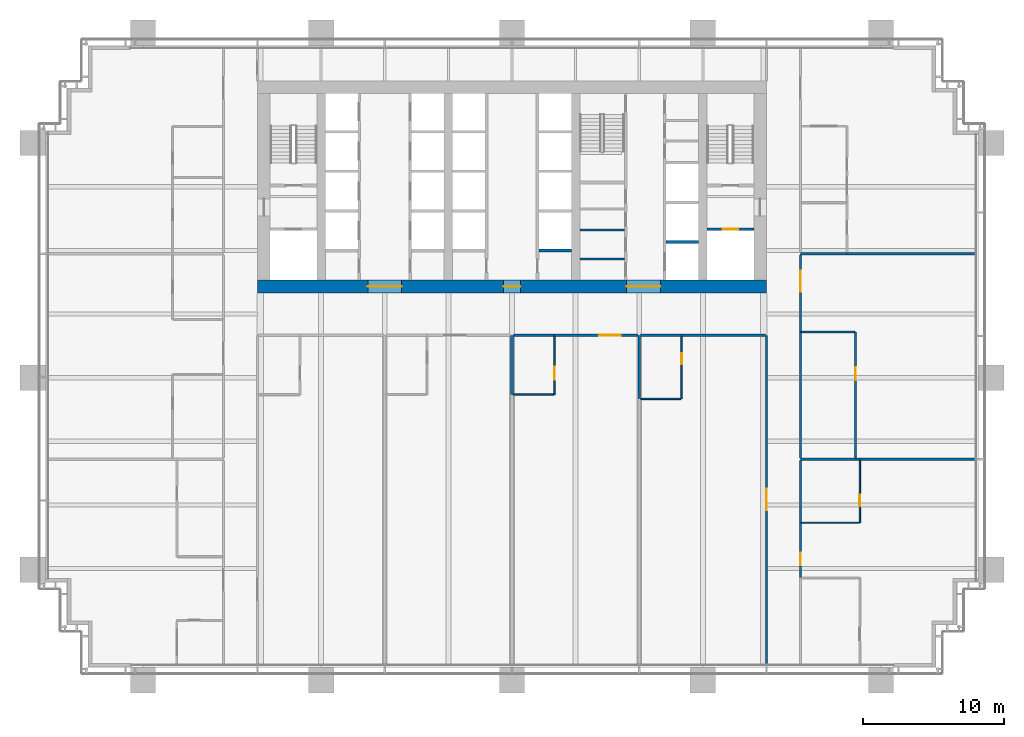
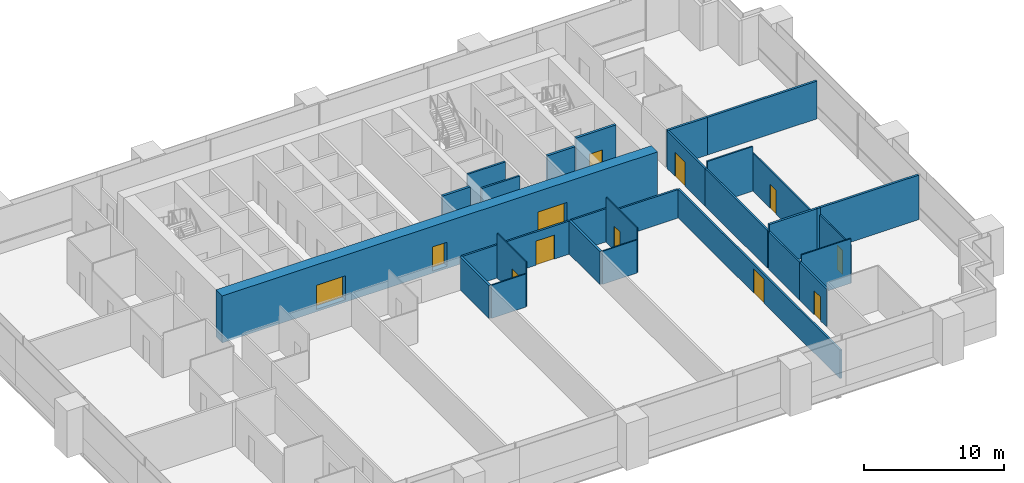
# One storey, part 12 of 19: 30 walls, 12 doors, 12 openings.
"""IFC4 building model written with IfcOpenShell, lengths in metres."""

from ifc_helpers import new_model, si_unit, direction, frame, frame_2d, origin, place, context, subcontext, project, spatial, rectangle, extrude, material, layer, layer_set, type_object, element, fill, save


model = new_model("IFC4")

# Units and contexts
model_context = context("Model", 3, precision=1e-05, world=origin(), true_north=direction((0.0, 1.0)))
body_context = subcontext(model_context, "Body", "Model", "MODEL_VIEW")
ifc_project = project(units=[si_unit("LENGTHUNIT", "METRE"), si_unit("AREAUNIT", "SQUARE_METRE"), si_unit("VOLUMEUNIT", "CUBIC_METRE"), si_unit("PLANEANGLEUNIT", "RADIAN"), si_unit("MASSUNIT", "GRAM", prefix="KILO")], contexts=[model_context])

# Site, building, storey
site_placement = place(None, origin())
site = spatial("IfcSite", under=ifc_project, at=site_placement, CompositionType="ELEMENT")
building_placement = place(site_placement, origin())
building = spatial("IfcBuilding", under=site, at=building_placement, Name="Rattan Terrace Tower", CompositionType="ELEMENT")
storey_placement = place(building_placement, frame((0.0, 0.0, 65.199951171875)))
storey = spatial("IfcBuildingStorey", under=building, at=storey_placement, Name="L14", CompositionType="ELEMENT", Elevation=65.199951171875)

# Walls
ifc_material_1 = material(Name="Gypsum board partition")
ifc_layer_1 = layer(ifc_material_1, 0.14990234375)
ifc_layer_set_1 = layer_set([ifc_layer_1], Name="Core partition 150")
wall_type_1 = type_object("IfcWallType", Name="Core partition 150", PredefinedType="PARTITIONING", material=ifc_layer_set_1)
for number, where, z_axis, x_axis, name in (
    (1, (4.800048828125, -5.10400390625, 0.0), (0.0, 0.0, 1.0), (1.0, 0.0, 0.0), "Toilet wall"),
    (2, (4.800048828125, -3.06396484375, 0.0), (0.0, 0.0, 1.0), (1.0, 0.0, 0.0), "Toilet wall"),
):
    element("IfcWall", number, at=place(storey_placement, frame(where, z_axis=z_axis, x_axis=x_axis)), inside=storey, type_object=wall_type_1, Name=name, PredefinedType="PARTITIONING", context=body_context, shape_type="SweptSolid", body=[
        extrude(rectangle(XDim=3.14990234375, YDim=0.14990234375, at=frame_2d((1.574951171875, 0.0))), origin(), (0.0, 0.0, 1.0), 3.900146484375),
    ])

# Wall, opening, door
ifc_material_2 = material(Name="Gypsum board partition")
ifc_layer_2 = layer(ifc_material_2, 0.199951171875)
ifc_layer_set_2 = layer_set([ifc_layer_2], Name="Core partition 200")
wall_type_2 = type_object("IfcWallType", Name="Core partition 200", PredefinedType="PARTITIONING", material=ifc_layer_set_2)
wall_1_placement = place(storey_placement, frame((13.800048828125, -3.0, 0.0), z_axis=(0.0, 0.0, 1.0), x_axis=(1.0, 0.0, 0.0)))
wall_1 = element("IfcWall", 3, at=wall_1_placement, inside=storey, type_object=wall_type_2, Name="Fire-fighting lobby wall", PredefinedType="PARTITIONING", context=body_context, shape_type="SweptSolid", body=[
    extrude(rectangle(XDim=3.300048828125, YDim=0.199951171875, at=frame_2d((1.64990234375, 0.0))), origin(), (0.0, 0.0, 1.0), 3.900146484375),
])
opening_1_placement = place(wall_1_placement, frame((1.10009765625, 0.0, 0.0)))
opening_1 = element("IfcOpeningElement", 4, at=opening_1_placement, cuts=wall_1, Name="Opening L14-LD-FF2", PredefinedType="OPENING", context=body_context, shape_type="SweptSolid", body=[
    extrude(rectangle(XDim=1.10009765625, YDim=2.10009765625, at=frame_2d((0.550048828125, 1.050048828125))), frame((0.0, 0.110595703125, 0.0), z_axis=(0.0, -1.0, 0.0), x_axis=(1.0, 0.0, 0.0)), (0.0, 0.0, 1.0), 0.220947265625),
])
ifc_material_3 = material(Name="Brushed stainless landing door panel")
door_type_1 = type_object("IfcDoorType", Name="Core lift landing door 1100", OperationType="DOUBLE_DOOR_SLIDING", PredefinedType="DOOR", material=ifc_material_3)
door_1_placement = place(opening_1_placement, origin())
door_1 = element("IfcDoor", 5, at=door_1_placement, inside=storey, type_object=door_type_1, Name="Door L14-LD-FF2", OperationType="DOUBLE_DOOR_SLIDING", OverallHeight=2.10009765625, OverallWidth=1.10009765625, PredefinedType="DOOR", context=body_context, shape_type="SweptSolid", body=[
    extrude(rectangle(XDim=1.10009765625, YDim=2.10009765625, at=frame_2d((0.550048828125, 1.050048828125))), frame((0.0, 0.02490234375, 0.0), z_axis=(0.0, -1.0, 0.0), x_axis=(1.0, 0.0, 0.0)), (0.0, 0.0, 1.0), 0.050048828125),
])
fill(opening_1, door_1)

# Wall, openings, doors
ifc_material_4 = material(Name="Concrete C70/85", Category="concrete")
ifc_layer_3 = layer(ifc_material_4, 0.89990234375)
ifc_layer_set_3 = layer_set([ifc_layer_3], Name="Core ring wall 900 C70/85")
wall_type_3 = type_object("IfcWallType", Name="Core ring wall 900 C70/85", PredefinedType="SHEAR", material=ifc_layer_set_3)
wall_2_placement = place(storey_placement, frame((-18.0, -7.050048828125, -0.199951171875), z_axis=(0.0, 0.0, 1.0), x_axis=(1.0, 0.0, 0.0)))
wall_2 = element("IfcWall", 6, at=wall_2_placement, inside=storey, type_object=wall_type_3, Name="Rear core wall south", PredefinedType="SHEAR", context=body_context, shape_type="SweptSolid", body=[
    extrude(rectangle(XDim=36.0, YDim=0.89990234375, at=frame_2d((18.0, 0.0))), origin(), (0.0, 0.0, 1.0), 4.10009765625),
])
opening_2_placement = place(wall_2_placement, frame((7.800048828125, 0.0, 0.199951171875)))
opening_2 = element("IfcOpeningElement", 7, at=opening_2_placement, cuts=wall_2, Name="Opening L14-D007", PredefinedType="OPENING", context=body_context, shape_type="SweptSolid", body=[
    extrude(rectangle(XDim=2.39990234375, YDim=2.10009765625, at=frame_2d((1.199951171875, 1.050048828125))), frame((0.0, 0.46044921875, 0.0), z_axis=(0.0, -1.0, 0.0), x_axis=(1.0, 0.0, 0.0)), (0.0, 0.0, 1.0), 0.9208984375),
])
opening_3_placement = place(wall_2_placement, frame((17.39990234375, 0.0, 0.199951171875)))
opening_3 = element("IfcOpeningElement", 8, at=opening_3_placement, cuts=wall_2, Name="Opening L14-D010", PredefinedType="OPENING", context=body_context, shape_type="SweptSolid", body=[
    extrude(rectangle(XDim=1.199951171875, YDim=2.10009765625, at=frame_2d((0.60009765625, 1.050048828125))), frame((0.0, 0.46044921875, 0.0), z_axis=(0.0, -1.0, 0.0), x_axis=(1.0, 0.0, 0.0)), (0.0, 0.0, 1.0), 0.9208984375),
])
opening_4_placement = place(wall_2_placement, frame((26.10009765625, 0.0, 0.199951171875)))
opening_4 = element("IfcOpeningElement", 9, at=opening_4_placement, cuts=wall_2, Name="Opening L14-D016", PredefinedType="OPENING", context=body_context, shape_type="SweptSolid", body=[
    extrude(rectangle(XDim=2.39990234375, YDim=2.10009765625, at=frame_2d((1.199951171875, 1.050048828125))), frame((0.0, 0.46044921875, 0.0), z_axis=(0.0, -1.0, 0.0), x_axis=(1.0, 0.0, 0.0)), (0.0, 0.0, 1.0), 0.9208984375),
])
ifc_material_5 = material(Name="Hollow-metal fire door leaf")
door_type_2 = type_object("IfcDoorType", Name="Core lift lobby door 2400", OperationType="NOTDEFINED", PredefinedType="DOOR", material=ifc_material_5)
door_2_placement = place(opening_2_placement, origin())
door_2 = element("IfcDoor", 10, at=door_2_placement, inside=storey, type_object=door_type_2, Name="Door L14-D007", OperationType="DOUBLE_DOOR_DOUBLE_SWING", OverallHeight=2.10009765625, OverallWidth=2.39990234375, PredefinedType="DOOR", context=body_context, shape_type="SweptSolid", body=[
    extrude(rectangle(XDim=2.39990234375, YDim=2.10009765625, at=frame_2d((1.199951171875, 1.050048828125))), frame((0.0, 0.02490234375, 0.0), z_axis=(0.0, -1.0, 0.0), x_axis=(1.0, 0.0, 0.0)), (0.0, 0.0, 1.0), 0.050048828125),
])
fill(opening_2, door_2)
door_3_placement = place(opening_4_placement, origin())
door_3 = element("IfcDoor", 11, at=door_3_placement, inside=storey, type_object=door_type_2, Name="Door L14-D016", OperationType="DOUBLE_DOOR_DOUBLE_SWING", OverallHeight=2.10009765625, OverallWidth=2.39990234375, PredefinedType="DOOR", context=body_context, shape_type="SweptSolid", body=[
    extrude(rectangle(XDim=2.39990234375, YDim=2.10009765625, at=frame_2d((1.199951171875, 1.050048828125))), frame((0.0, 0.02490234375, 0.0), z_axis=(0.0, -1.0, 0.0), x_axis=(1.0, 0.0, 0.0)), (0.0, 0.0, 1.0), 0.050048828125),
])
fill(opening_4, door_3)
ifc_material_6 = material(Name="Hollow-metal fire door leaf")
door_type_3 = type_object("IfcDoorType", Name="Core riser door 1200", OperationType="NOTDEFINED", PredefinedType="DOOR", material=ifc_material_6)
door_4_placement = place(opening_3_placement, origin())
door_4 = element("IfcDoor", 12, at=door_4_placement, inside=storey, type_object=door_type_3, Name="Door L14-D010", OperationType="SINGLE_SWING_LEFT", OverallHeight=2.10009765625, OverallWidth=1.199951171875, PredefinedType="DOOR", context=body_context, shape_type="SweptSolid", body=[
    extrude(rectangle(XDim=1.199951171875, YDim=2.10009765625, at=frame_2d((0.60009765625, 1.050048828125))), frame((0.0, 0.02490234375, 0.0), z_axis=(0.0, -1.0, 0.0), x_axis=(1.0, 0.0, 0.0)), (0.0, 0.0, 1.0), 0.050048828125),
])
fill(opening_3, door_4)

# Walls
ifc_material_7 = material(Name="Double steel stud acoustic partition, gypsum board, mineral wool, fire rated", Category="steel")
ifc_layer_4 = layer(ifc_material_7, 0.179931640625)
ifc_layer_set_4 = layer_set([ifc_layer_4], Name="Floors Acoustic Party Wall 180")
wall_type_4 = type_object("IfcWallType", Name="Floors Acoustic Party Wall 180", PredefinedType="PARTITIONING", material=ifc_layer_set_4)
wall_3_placement = place(storey_placement, frame((24.60009765625, -19.27294921875, 0.0), z_axis=(0.0, 0.0, 1.0), x_axis=(1.0, 0.0, 0.0)))
element("IfcWall", 13, at=wall_3_placement, inside=storey, type_object=wall_type_4, Name="pt-L14-052", PredefinedType="PARTITIONING", context=body_context, shape_type="SweptSolid", body=[
    extrude(rectangle(XDim=8.139892578125, YDim=0.179931640625, at=frame_2d((4.06982421875, 0.0))), origin(), (0.0, 0.0, 1.0), 3.900146484375),
])
wall_4_placement = place(storey_placement, frame((24.320068359375, -19.27294921875, 0.0), z_axis=(0.0, 0.0, 1.0), x_axis=(1.0, 0.0, 0.0)))
element("IfcWall", 14, at=wall_4_placement, inside=storey, type_object=wall_type_4, Name="pt-L14-053", PredefinedType="PARTITIONING", context=body_context, shape_type="SweptSolid", body=[
    extrude(rectangle(XDim=0.280029296875, YDim=0.179931640625, at=frame_2d((0.14013671875, 0.0))), origin(), (0.0, 0.0, 1.0), 3.900146484375),
])
wall_5_placement = place(storey_placement, frame((20.39990234375, -19.27294921875, 0.0), z_axis=(0.0, 0.0, 1.0), x_axis=(1.0, 0.0, 0.0)))
element("IfcWall", 15, at=wall_5_placement, inside=storey, type_object=wall_type_4, Name="pt-L14-054", PredefinedType="PARTITIONING", context=body_context, shape_type="SweptSolid", body=[
    extrude(rectangle(XDim=3.920166015625, YDim=0.179931640625, at=frame_2d((1.9599609375, 0.0))), origin(), (0.0, 0.0, 1.0), 3.900146484375),
])
wall_6_placement = place(storey_placement, frame((23.679931640625, -4.72705078125, 0.0), z_axis=(0.0, 0.0, 1.0), x_axis=(1.0, 0.0, 0.0)))
element("IfcWall", 16, at=wall_6_placement, inside=storey, type_object=wall_type_4, Name="pt-L14-057", PredefinedType="PARTITIONING", context=body_context, shape_type="SweptSolid", body=[
    extrude(rectangle(XDim=9.06005859375, YDim=0.179931640625, at=frame_2d((4.530029296875, 0.0))), origin(), (0.0, 0.0, 1.0), 3.300048828125),
])
wall_7_placement = place(storey_placement, frame((20.39990234375, -4.72705078125, 0.0), z_axis=(0.0, 0.0, 1.0), x_axis=(1.0, 0.0, 0.0)))
element("IfcWall", 17, at=wall_7_placement, inside=storey, type_object=wall_type_4, Name="pt-L14-058", PredefinedType="PARTITIONING", context=body_context, shape_type="SweptSolid", body=[
    extrude(rectangle(XDim=3.280029296875, YDim=0.179931640625, at=frame_2d((1.64013671875, 0.0))), origin(), (0.0, 0.0, 1.0), 3.300048828125),
])
wall_8_placement = place(storey_placement, frame((0.0, -10.5, 0.0), z_axis=(0.0, 0.0, 1.0), x_axis=(0.0, -1.0, 0.0)))
element("IfcWall", 18, at=wall_8_placement, inside=storey, type_object=wall_type_4, Name="pt-L14-070", PredefinedType="PARTITIONING", context=body_context, shape_type="SweptSolid", body=[
    extrude(rectangle(XDim=4.179931640625, YDim=0.179931640625, at=frame_2d((2.08984375, 0.0))), origin(), (0.0, 0.0, 1.0), 2.900146484375),
])
wall_9_placement = place(storey_placement, frame((9.0, -10.5, 0.0), z_axis=(0.0, 0.0, 1.0), x_axis=(0.0, -1.0, 0.0)))
element("IfcWall", 19, at=wall_9_placement, inside=storey, type_object=wall_type_4, Name="pt-L14-074", PredefinedType="PARTITIONING", context=body_context, shape_type="SweptSolid", body=[
    extrude(rectangle(XDim=4.47998046875, YDim=0.179931640625, at=frame_2d((2.239990234375, 0.0))), origin(), (0.0, 0.0, 1.0), 2.900146484375),
])
ifc_material_8 = material(Name="Gypsum board partition on steel studs", Category="steel")
ifc_layer_5 = layer(ifc_material_8, 0.10009765625)
ifc_layer_set_5 = layer_set([ifc_layer_5], Name="Floors Partition 100")
wall_type_5 = type_object("IfcWallType", Name="Floors Partition 100", PredefinedType="PARTITIONING", material=ifc_layer_set_5)
wall_10_placement = place(storey_placement, frame((20.47509765625, -23.760009765625, 0.0), z_axis=(0.0, 0.0, 1.0), x_axis=(1.0, 0.0, 0.0)))
element("IfcWall", 20, at=wall_10_placement, inside=storey, type_object=wall_type_5, Name="pt-L14-050", PredefinedType="PARTITIONING", context=body_context, shape_type="SweptSolid", body=[
    extrude(rectangle(XDim=4.074951171875, YDim=0.10009765625, at=frame_2d((2.03759765625, 0.0))), origin(), (0.0, 0.0, 1.0), 3.900146484375),
])

# Wall, opening, door
wall_11_placement = place(storey_placement, frame((24.60009765625, -23.760009765625, 0.0), z_axis=(0.0, 0.0, 1.0), x_axis=(0.0, 1.0, 0.0)))
wall_11 = element("IfcWall", 21, at=wall_11_placement, inside=storey, type_object=wall_type_5, Name="pt-L14-051", PredefinedType="PARTITIONING", context=body_context, shape_type="SweptSolid", body=[
    extrude(rectangle(XDim=4.39697265625, YDim=0.10009765625, at=frame_2d((2.198486328125, 0.0))), origin(), (0.0, 0.0, 1.0), 3.300048828125),
])
opening_5_placement = place(wall_11_placement, frame((1.178955078125, 0.0, 0.0)))
opening_5 = element("IfcOpeningElement", 22, at=opening_5_placement, cuts=wall_11, Name="Opening L14-D111", PredefinedType="OPENING", context=body_context, shape_type="SweptSolid", body=[
    extrude(rectangle(XDim=0.800048828125, YDim=2.10009765625, at=frame_2d((0.39990234375, 1.050048828125))), frame((0.0, 0.060546875, 0.0), z_axis=(0.0, -1.0, 0.0), x_axis=(1.0, 0.0, 0.0)), (0.0, 0.0, 1.0), 0.12109375),
])
ifc_material_9 = material(Name="Solid core timber door, painted", Category="wood")
door_type_4 = type_object("IfcDoorType", Name="Floors Store Door 800x2100", OperationType="NOTDEFINED", PredefinedType="DOOR", material=ifc_material_9)
door_5_placement = place(opening_5_placement, origin())
door_5 = element("IfcDoor", 23, at=door_5_placement, inside=storey, type_object=door_type_4, Name="d-L14-111", OperationType="SINGLE_SWING_LEFT", OverallHeight=2.10009765625, OverallWidth=0.800048828125, PredefinedType="DOOR", context=body_context, shape_type="SweptSolid", body=[
    extrude(rectangle(XDim=0.800048828125, YDim=2.10009765625, at=frame_2d((0.39990234375, 1.050048828125))), frame((0.0, 0.02490234375, 0.0), z_axis=(0.0, -1.0, 0.0), x_axis=(1.0, 0.0, 0.0)), (0.0, 0.0, 1.0), 0.050048828125),
])
fill(opening_5, door_5)

# Wall
wall_12_placement = place(storey_placement, frame((0.090087890625, -14.699951171875, 0.0), z_axis=(0.0, 0.0, 1.0), x_axis=(1.0, 0.0, 0.0)))
element("IfcWall", 24, at=wall_12_placement, inside=storey, type_object=wall_type_5, Name="pt-L14-071", PredefinedType="PARTITIONING", context=body_context, shape_type="SweptSolid", body=[
    extrude(rectangle(XDim=2.85986328125, YDim=0.10009765625, at=frame_2d((1.429931640625, 0.0))), origin(), (0.0, 0.0, 1.0), 2.900146484375),
])

# Wall, opening, door
wall_13_placement = place(storey_placement, frame((3.0, -14.699951171875, 0.0), z_axis=(0.0, 0.0, 1.0), x_axis=(0.0, 1.0, 0.0)))
wall_13 = element("IfcWall", 25, at=wall_13_placement, inside=storey, type_object=wall_type_5, Name="pt-L14-072", PredefinedType="PARTITIONING", context=body_context, shape_type="SweptSolid", body=[
    extrude(rectangle(XDim=4.125, YDim=0.10009765625, at=frame_2d((2.0625, 0.0))), origin(), (0.0, 0.0, 1.0), 3.900146484375),
])
opening_6_placement = place(wall_13_placement, frame((1.06689453125, 0.0, 0.0)))
opening_6 = element("IfcOpeningElement", 26, at=opening_6_placement, cuts=wall_13, Name="Opening L14-D123", PredefinedType="OPENING", context=body_context, shape_type="SweptSolid", body=[
    extrude(rectangle(XDim=0.89990234375, YDim=2.10009765625, at=frame_2d((0.449951171875, 1.050048828125))), frame((0.0, 0.060546875, 0.0), z_axis=(0.0, -1.0, 0.0), x_axis=(1.0, 0.0, 0.0)), (0.0, 0.0, 1.0), 0.12109375),
])
ifc_material_10 = material(Name="Solid core timber door, painted", Category="wood")
door_type_5 = type_object("IfcDoorType", Name="Floors Door 900x2100", OperationType="NOTDEFINED", PredefinedType="DOOR", material=ifc_material_10)
door_6_placement = place(opening_6_placement, origin())
door_6 = element("IfcDoor", 27, at=door_6_placement, inside=storey, type_object=door_type_5, Name="d-L14-123", OperationType="SINGLE_SWING_LEFT", OverallHeight=2.10009765625, OverallWidth=0.89990234375, PredefinedType="DOOR", context=body_context, shape_type="SweptSolid", body=[
    extrude(rectangle(XDim=0.89990234375, YDim=2.10009765625, at=frame_2d((0.449951171875, 1.050048828125))), frame((0.0, 0.02490234375, 0.0), z_axis=(0.0, -1.0, 0.0), x_axis=(1.0, 0.0, 0.0)), (0.0, 0.0, 1.0), 0.050048828125),
])
fill(opening_6, door_6)

# Wall
wall_14_placement = place(storey_placement, frame((9.090087890625, -15.0, 0.0), z_axis=(0.0, 0.0, 1.0), x_axis=(1.0, 0.0, 0.0)))
element("IfcWall", 28, at=wall_14_placement, inside=storey, type_object=wall_type_5, Name="pt-L14-075", PredefinedType="PARTITIONING", context=body_context, shape_type="SweptSolid", body=[
    extrude(rectangle(XDim=2.85986328125, YDim=0.10009765625, at=frame_2d((1.429931640625, 0.0))), origin(), (0.0, 0.0, 1.0), 2.900146484375),
])

# Wall, opening, door
wall_15_placement = place(storey_placement, frame((12.0, -15.0, 0.0), z_axis=(0.0, 0.0, 1.0), x_axis=(0.0, 1.0, 0.0)))
wall_15 = element("IfcWall", 29, at=wall_15_placement, inside=storey, type_object=wall_type_5, Name="pt-L14-076", PredefinedType="PARTITIONING", context=body_context, shape_type="SweptSolid", body=[
    extrude(rectangle(XDim=4.425048828125, YDim=0.10009765625, at=frame_2d((2.21240234375, 0.0))), origin(), (0.0, 0.0, 1.0), 3.900146484375),
])
opening_7_placement = place(wall_15_placement, frame((2.43798828125, 0.0, 0.0)))
opening_7 = element("IfcOpeningElement", 30, at=opening_7_placement, cuts=wall_15, Name="Opening L14-D125", PredefinedType="OPENING", context=body_context, shape_type="SweptSolid", body=[
    extrude(rectangle(XDim=0.800048828125, YDim=2.10009765625, at=frame_2d((0.39990234375, 1.050048828125))), frame((0.0, 0.060546875, 0.0), z_axis=(0.0, -1.0, 0.0), x_axis=(1.0, 0.0, 0.0)), (0.0, 0.0, 1.0), 0.12109375),
])
door_7_placement = place(opening_7_placement, origin())
door_7 = element("IfcDoor", 31, at=door_7_placement, inside=storey, type_object=door_type_4, Name="d-L14-125", OperationType="SINGLE_SWING_RIGHT", OverallHeight=2.10009765625, OverallWidth=0.800048828125, PredefinedType="DOOR", context=body_context, shape_type="SweptSolid", body=[
    extrude(rectangle(XDim=0.800048828125, YDim=2.10009765625, at=frame_2d((0.39990234375, 1.050048828125))), frame((0.0, 0.02490234375, 0.0), z_axis=(0.0, -1.0, 0.0), x_axis=(1.0, 0.0, 0.0)), (0.0, 0.0, 1.0), 0.050048828125),
])
fill(opening_7, door_7)

ifc_material_11 = material(Name="Gypsum board partition on steel studs, fire rated", Category="steel")
ifc_layer_6 = layer(ifc_material_11, 0.14990234375)
ifc_layer_set_6 = layer_set([ifc_layer_6], Name="Floors Tenancy Wall 150")
wall_type_6 = type_object("IfcWallType", Name="Floors Tenancy Wall 150", PredefinedType="PARTITIONING", material=ifc_layer_set_6)
wall_16_placement = place(storey_placement, frame((20.39990234375, -23.780029296875, 0.0), z_axis=(0.0, 0.0, 1.0), x_axis=(0.0, -1.0, 0.0)))
wall_16 = element("IfcWall", 32, at=wall_16_placement, inside=storey, type_object=wall_type_6, Name="pt-L14-010", PredefinedType="PARTITIONING", context=body_context, shape_type="SweptSolid", body=[
    extrude(rectangle(XDim=3.85986328125, YDim=0.14990234375, at=frame_2d((1.929931640625, 0.0))), origin(), (0.0, 0.0, 1.0), 3.300048828125),
])
opening_8_placement = place(wall_16_placement, frame((2.094970703125, 0.0, 0.0)))
opening_8 = element("IfcOpeningElement", 33, at=opening_8_placement, cuts=wall_16, Name="Opening L14-D109", PredefinedType="OPENING", context=body_context, shape_type="SweptSolid", body=[
    extrude(rectangle(XDim=0.89990234375, YDim=2.10009765625, at=frame_2d((0.449951171875, 1.050048828125))), frame((0.0, 0.08544921875, 0.0), z_axis=(0.0, -1.0, 0.0), x_axis=(1.0, 0.0, 0.0)), (0.0, 0.0, 1.0), 0.1708984375),
])
ifc_material_12 = material(Name="Steel fire door set", Category="steel")
door_type_6 = type_object("IfcDoorType", Name="Floors Fire Door FD30S 900x2100", OperationType="NOTDEFINED", PredefinedType="DOOR", material=ifc_material_12)
door_8_placement = place(opening_8_placement, origin())
door_8 = element("IfcDoor", 34, at=door_8_placement, inside=storey, type_object=door_type_6, Name="d-L14-109", OperationType="SINGLE_SWING_RIGHT", OverallHeight=2.10009765625, OverallWidth=0.89990234375, PredefinedType="DOOR", context=body_context, shape_type="SweptSolid", body=[
    extrude(rectangle(XDim=0.89990234375, YDim=2.10009765625, at=frame_2d((0.449951171875, 1.050048828125))), frame((0.0, 0.02490234375, 0.0), z_axis=(0.0, -1.0, 0.0), x_axis=(1.0, 0.0, 0.0)), (0.0, 0.0, 1.0), 0.050048828125),
])
fill(opening_8, door_8)

# Wall
wall_17_placement = place(storey_placement, frame((20.39990234375, -19.363037109375, 0.0), z_axis=(0.0, 0.0, 1.0), x_axis=(0.0, -1.0, 0.0)))
element("IfcWall", 35, at=wall_17_placement, inside=storey, type_object=wall_type_6, Name="pt-L14-012", PredefinedType="PARTITIONING", context=body_context, shape_type="SweptSolid", body=[
    extrude(rectangle(XDim=4.4169921875, YDim=0.14990234375, at=frame_2d((2.20849609375, 0.0))), origin(), (0.0, 0.0, 1.0), 3.300048828125),
])

# Wall, opening, door
wall_18_placement = place(storey_placement, frame((20.39990234375, -4.81689453125, 0.0), z_axis=(0.0, 0.0, 1.0), x_axis=(0.0, -1.0, 0.0)))
wall_18 = element("IfcWall", 36, at=wall_18_placement, inside=storey, type_object=wall_type_6, Name="pt-L14-013", PredefinedType="PARTITIONING", context=body_context, shape_type="SweptSolid", body=[
    extrude(rectangle(XDim=5.43603515625, YDim=0.14990234375, at=frame_2d((2.718017578125, 0.0))), origin(), (0.0, 0.0, 1.0), 3.300048828125),
])
opening_9_placement = place(wall_18_placement, frame((1.10888671875, 0.0, 0.0)))
opening_9 = element("IfcOpeningElement", 37, at=opening_9_placement, cuts=wall_18, Name="Opening L14-D112", PredefinedType="OPENING", context=body_context, shape_type="SweptSolid", body=[
    extrude(rectangle(XDim=1.5, YDim=2.10009765625, at=frame_2d((0.75, 1.050048828125))), frame((0.0, 0.08544921875, 0.0), z_axis=(0.0, -1.0, 0.0), x_axis=(1.0, 0.0, 0.0)), (0.0, 0.0, 1.0), 0.1708984375),
])
ifc_material_13 = material(Name="Steel fire door set", Category="steel")
door_type_7 = type_object("IfcDoorType", Name="Floors Unit Door Pair FD30S 1500x2100", OperationType="NOTDEFINED", PredefinedType="DOOR", material=ifc_material_13)
door_9_placement = place(opening_9_placement, origin())
door_9 = element("IfcDoor", 38, at=door_9_placement, inside=storey, type_object=door_type_7, Name="d-L14-112", OperationType="DOUBLE_DOOR_SINGLE_SWING", OverallHeight=2.10009765625, OverallWidth=1.5, PredefinedType="DOOR", context=body_context, shape_type="SweptSolid", body=[
    extrude(rectangle(XDim=1.5, YDim=2.10009765625, at=frame_2d((0.75, 1.050048828125))), frame((0.0, 0.02490234375, 0.0), z_axis=(0.0, -1.0, 0.0), x_axis=(1.0, 0.0, 0.0)), (0.0, 0.0, 1.0), 0.050048828125),
])
fill(opening_9, door_9)

# Wall
wall_19_placement = place(storey_placement, frame((20.39990234375, -10.2529296875, 0.0), z_axis=(0.0, 0.0, 1.0), x_axis=(0.0, -1.0, 0.0)))
element("IfcWall", 39, at=wall_19_placement, inside=storey, type_object=wall_type_6, Name="pt-L14-014", PredefinedType="PARTITIONING", context=body_context, shape_type="SweptSolid", body=[
    extrude(rectangle(XDim=8.93017578125, YDim=0.14990234375, at=frame_2d((4.465087890625, 0.0))), origin(), (0.0, 0.0, 1.0), 3.300048828125),
])

# Wall, opening, door
wall_20_placement = place(storey_placement, frame((8.909912109375, -10.5, 0.0), z_axis=(0.0, 0.0, 1.0), x_axis=(-1.0, 0.0, 0.0)))
wall_20 = element("IfcWall", 40, at=wall_20_placement, inside=storey, type_object=wall_type_6, Name="pt-L14-026", PredefinedType="PARTITIONING", context=body_context, shape_type="SweptSolid", body=[
    extrude(rectangle(XDim=5.929931640625, YDim=0.14990234375, at=frame_2d((2.96484375, 0.0))), origin(), (0.0, 0.0, 1.0), 2.900146484375),
])
opening_10_placement = place(wall_20_placement, frame((1.23193359375, 0.0, 0.0)))
opening_10 = element("IfcOpeningElement", 41, at=opening_10_placement, cuts=wall_20, Name="Opening L14-D122", PredefinedType="OPENING", context=body_context, shape_type="SweptSolid", body=[
    extrude(rectangle(XDim=1.5, YDim=2.10009765625, at=frame_2d((0.75, 1.050048828125))), frame((0.0, 0.08544921875, 0.0), z_axis=(0.0, -1.0, 0.0), x_axis=(1.0, 0.0, 0.0)), (0.0, 0.0, 1.0), 0.1708984375),
])
door_10_placement = place(opening_10_placement, origin())
door_10 = element("IfcDoor", 42, at=door_10_placement, inside=storey, type_object=door_type_7, Name="d-L14-122", OperationType="DOUBLE_DOOR_SINGLE_SWING", OverallHeight=2.10009765625, OverallWidth=1.5, PredefinedType="DOOR", context=body_context, shape_type="SweptSolid", body=[
    extrude(rectangle(XDim=1.5, YDim=2.10009765625, at=frame_2d((0.75, 1.050048828125))), frame((0.0, 0.02490234375, 0.0), z_axis=(0.0, -1.0, 0.0), x_axis=(1.0, 0.0, 0.0)), (0.0, 0.0, 1.0), 0.050048828125),
])
fill(opening_10, door_10)

# Walls
wall_21_placement = place(storey_placement, frame((2.97998046875, -10.5, 0.0), z_axis=(0.0, 0.0, 1.0), x_axis=(-1.0, 0.0, 0.0)))
element("IfcWall", 43, at=wall_21_placement, inside=storey, type_object=wall_type_6, Name="pt-L14-027", PredefinedType="PARTITIONING", context=body_context, shape_type="SweptSolid", body=[
    extrude(rectangle(XDim=2.889892578125, YDim=0.14990234375, at=frame_2d((1.44482421875, 0.0))), origin(), (0.0, 0.0, 1.0), 2.900146484375),
])
wall_22_placement = place(storey_placement, frame((17.925048828125, -10.5, 0.0), z_axis=(0.0, 0.0, 1.0), x_axis=(-1.0, 0.0, 0.0)))
element("IfcWall", 44, at=wall_22_placement, inside=storey, type_object=wall_type_6, Name="pt-L14-028", PredefinedType="PARTITIONING", context=body_context, shape_type="SweptSolid", body=[
    extrude(rectangle(XDim=5.945068359375, YDim=0.14990234375, at=frame_2d((2.97265625, 0.0))), origin(), (0.0, 0.0, 1.0), 2.5),
])

# Wall, opening, door
wall_23_placement = place(storey_placement, frame((18.0, -33.739990234375, 0.0), z_axis=(0.0, 0.0, 1.0), x_axis=(0.0, 1.0, 0.0)))
wall_23 = element("IfcWall", 45, at=wall_23_placement, inside=storey, type_object=wall_type_6, Name="pt-L14-029", PredefinedType="PARTITIONING", context=body_context, shape_type="SweptSolid", body=[
    extrude(rectangle(XDim=23.239990234375, YDim=0.14990234375, at=frame_2d((11.6201171875, 0.0))), origin(), (0.0, 0.0, 1.0), 2.5),
])
opening_11_placement = place(wall_23_placement, frame((10.8701171875, 0.0, 0.0)))
opening_11 = element("IfcOpeningElement", 46, at=opening_11_placement, cuts=wall_23, Name="Opening L14-D124", PredefinedType="OPENING", context=body_context, shape_type="SweptSolid", body=[
    extrude(rectangle(XDim=1.5, YDim=2.10009765625, at=frame_2d((0.75, 1.050048828125))), frame((0.0, 0.08544921875, 0.0), z_axis=(0.0, -1.0, 0.0), x_axis=(1.0, 0.0, 0.0)), (0.0, 0.0, 1.0), 0.1708984375),
])
door_11_placement = place(opening_11_placement, origin())
door_11 = element("IfcDoor", 47, at=door_11_placement, inside=storey, type_object=door_type_7, Name="d-L14-124", OperationType="DOUBLE_DOOR_SINGLE_SWING", OverallHeight=2.10009765625, OverallWidth=1.5, PredefinedType="DOOR", context=body_context, shape_type="SweptSolid", body=[
    extrude(rectangle(XDim=1.5, YDim=2.10009765625, at=frame_2d((0.75, 1.050048828125))), frame((0.0, 0.02490234375, 0.0), z_axis=(0.0, -1.0, 0.0), x_axis=(1.0, 0.0, 0.0)), (0.0, 0.0, 1.0), 0.050048828125),
])
fill(opening_11, door_11)

# Walls
wall_24_placement = place(storey_placement, frame((11.97998046875, -10.5, 0.0), z_axis=(0.0, 0.0, 1.0), x_axis=(-1.0, 0.0, 0.0)))
element("IfcWall", 48, at=wall_24_placement, inside=storey, type_object=wall_type_6, Name="pt-L14-030", PredefinedType="PARTITIONING", context=body_context, shape_type="SweptSolid", body=[
    extrude(rectangle(XDim=2.889892578125, YDim=0.14990234375, at=frame_2d((1.44482421875, 0.0))), origin(), (0.0, 0.0, 1.0), 2.900146484375),
])
ifc_material_14 = material(Name="Moisture resistant gypsum board partition on steel studs with service cavity", Category="steel")
ifc_layer_7 = layer(ifc_material_14, 0.1201171875)
ifc_layer_set_7 = layer_set([ifc_layer_7], Name="Floors Wet Wall 120")
wall_type_7 = type_object("IfcWallType", Name="Floors Wet Wall 120", PredefinedType="PARTITIONING", material=ifc_layer_set_7)
wall_25_placement = place(storey_placement, frame((24.239990234375, -10.27294921875, 0.0), z_axis=(0.0, 0.0, 1.0), x_axis=(-1.0, 0.0, 0.0)))
element("IfcWall", 49, at=wall_25_placement, inside=storey, type_object=wall_type_7, Name="pt-L14-055", PredefinedType="PARTITIONING", context=body_context, shape_type="SweptSolid", body=[
    extrude(rectangle(XDim=3.764892578125, YDim=0.1201171875, at=frame_2d((1.88232421875, 0.0))), origin(), (0.0, 0.0, 1.0), 3.900146484375),
])

# Wall, opening, door
wall_26_placement = place(storey_placement, frame((24.300048828125, -19.18310546875, 0.0), z_axis=(0.0, 0.0, 1.0), x_axis=(0.0, 1.0, 0.0)))
wall_26 = element("IfcWall", 50, at=wall_26_placement, inside=storey, type_object=wall_type_7, Name="pt-L14-056", PredefinedType="PARTITIONING", context=body_context, shape_type="SweptSolid", body=[
    extrude(rectangle(XDim=8.91015625, YDim=0.1201171875, at=frame_2d((4.455078125, 0.0))), origin(), (0.0, 0.0, 1.0), 3.300048828125),
])
opening_12_placement = place(wall_26_placement, frame((5.507080078125, 0.0, 0.0)))
opening_12 = element("IfcOpeningElement", 51, at=opening_12_placement, cuts=wall_26, Name="Opening L14-D113", PredefinedType="OPENING", context=body_context, shape_type="SweptSolid", body=[
    extrude(rectangle(XDim=0.89990234375, YDim=2.10009765625, at=frame_2d((0.449951171875, 1.050048828125))), frame((0.0, 0.070556640625, 0.0), z_axis=(0.0, -1.0, 0.0), x_axis=(1.0, 0.0, 0.0)), (0.0, 0.0, 1.0), 0.14111328125),
])
door_12_placement = place(opening_12_placement, origin())
door_12 = element("IfcDoor", 52, at=door_12_placement, inside=storey, type_object=door_type_5, Name="d-L14-113", OperationType="SINGLE_SWING_RIGHT", OverallHeight=2.10009765625, OverallWidth=0.89990234375, PredefinedType="DOOR", context=body_context, shape_type="SweptSolid", body=[
    extrude(rectangle(XDim=0.89990234375, YDim=2.10009765625, at=frame_2d((0.449951171875, 1.050048828125))), frame((0.0, 0.02490234375, 0.0), z_axis=(0.0, -1.0, 0.0), x_axis=(1.0, 0.0, 0.0)), (0.0, 0.0, 1.0), 0.050048828125),
])
fill(opening_12, door_12)

# Walls
ifc_material_15 = material(Name="Gypsum shaft wall system")
ifc_layer_8 = layer(ifc_material_15, 0.199951171875)
ifc_layer_set_8 = layer_set([ifc_layer_8], Name="Lift shaft wall 200")
wall_type_8 = type_object("IfcWallType", Name="Lift shaft wall 200", PredefinedType="PARTITIONING", material=ifc_layer_set_8)
for number, where, z_axis, x_axis, name in (
    (53, (1.89990234375, -4.5, 0.0), (0.0, 0.0, 1.0), (1.0, 0.0, 0.0), "Lift shaft wall"),
    (54, (10.89990234375, -3.89990234375, 0.0), (0.0, 0.0, 1.0), (1.0, 0.0, 0.0), "Lift shaft wall"),
):
    element("IfcWall", number, at=place(storey_placement, frame(where, z_axis=z_axis, x_axis=x_axis)), inside=storey, type_object=wall_type_8, Name=name, PredefinedType="PARTITIONING", context=body_context, shape_type="SweptSolid", body=[
        extrude(rectangle(XDim=2.300048828125, YDim=0.199951171875, at=frame_2d((1.14990234375, 0.0))), origin(), (0.0, 0.0, 1.0), 3.900146484375),
    ])

save(model, "model.ifc")
